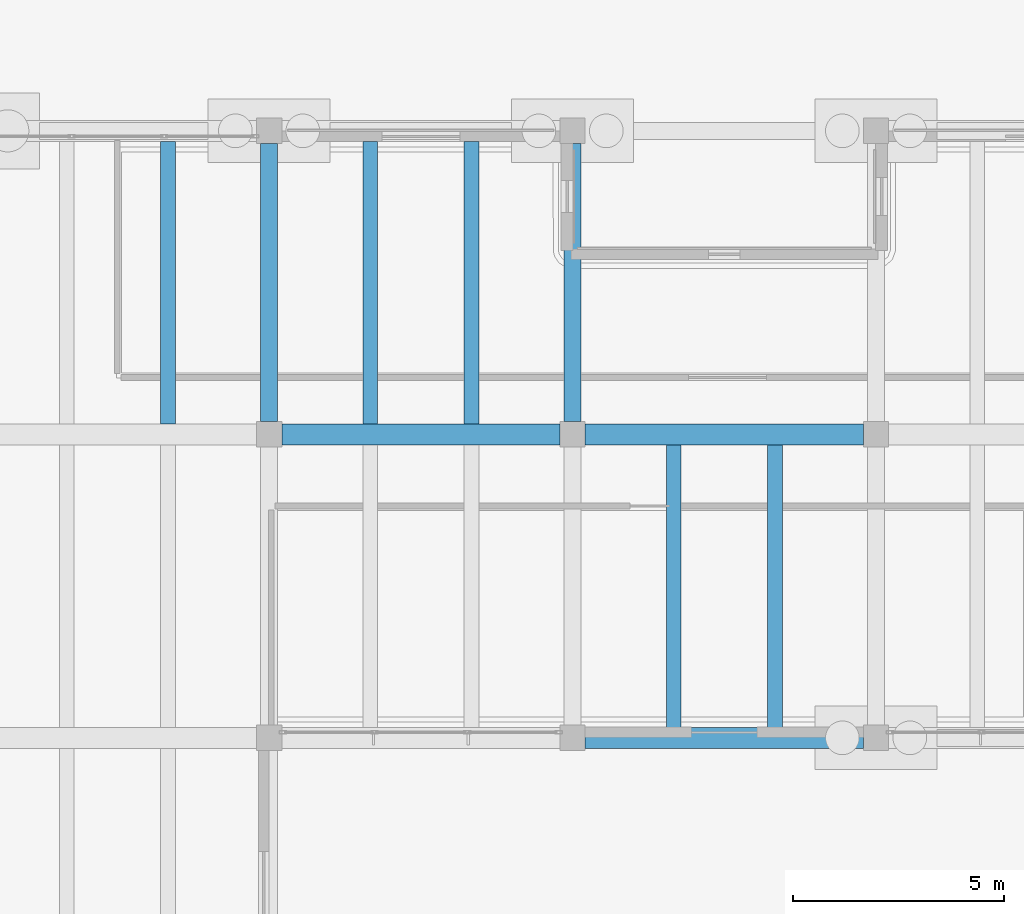
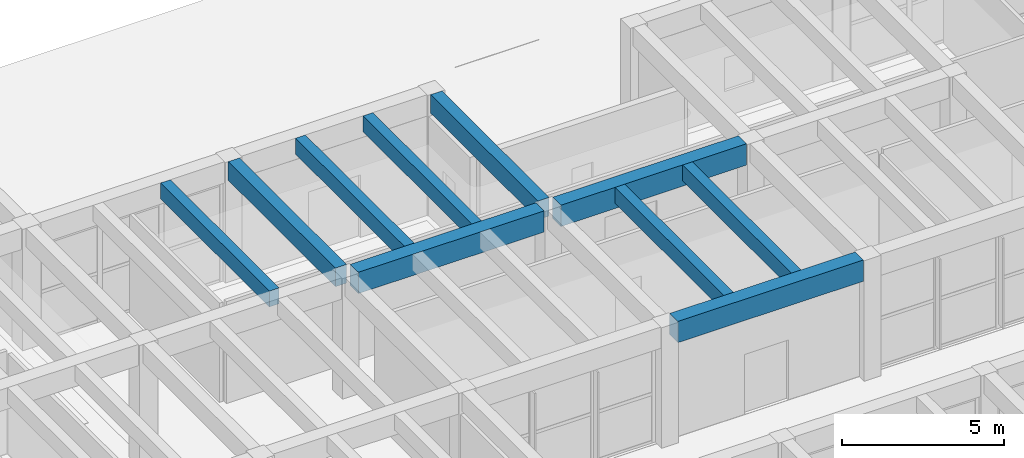
# One storey, part 71 of 155: 10 beams.
"""IFC4 building model written with IfcOpenShell, lengths in metres."""

from ifc_helpers import new_model, si_unit, direction, frame, origin, origin_2d, place, context, subcontext, project, spatial, rectangle, extrude, material, material_profile, profile_set, type_object, element, save


model = new_model("IFC4")

# Units and contexts
model_context = context("Model", 3, precision=1e-05, world=origin(), true_north=direction((0.0, 1.0)))
body_context = subcontext(model_context, "Body", "Model", "MODEL_VIEW")
ifc_project = project(units=[si_unit("LENGTHUNIT", "METRE"), si_unit("AREAUNIT", "SQUARE_METRE"), si_unit("VOLUMEUNIT", "CUBIC_METRE"), si_unit("PLANEANGLEUNIT", "RADIAN"), si_unit("MASSUNIT", "GRAM", prefix="KILO")], contexts=[model_context])

# Site, building, storey
site_placement = place(None, origin())
site = spatial("IfcSite", under=ifc_project, at=site_placement, CompositionType="ELEMENT")
building_placement = place(site_placement, origin())
building = spatial("IfcBuilding", under=site, at=building_placement, Name="Bramvelor Terrace Health Centre", CompositionType="ELEMENT")
storey_placement = place(building_placement, origin())
storey = spatial("IfcBuildingStorey", under=building, at=storey_placement, Name="L01", CompositionType="ELEMENT", Elevation=0.0)

# Beams
ifc_material_1 = material(Name="Concrete C40/50", Category="concrete")
ifc_material_profile_1 = material_profile(ifc_material_1, rectangle(XDim=0.39990234375, YDim=0.699951171875, at=origin_2d()), Name="RC 400x700")
ifc_profile_set_1 = profile_set([ifc_material_profile_1], Name="Concrete C40/50")
beam_type_1 = type_object("IfcBeamType", Name="BM-RC-G700", PredefinedType="BEAM", material=ifc_profile_set_1)
for number, where, z_axis, x_axis, name in (
    (1, (50.39990234375, 93.89990234375, 4.179931640625), (0.0, 1.0, 0.0), (-1.0, 0.0, 0.0), "L01 Floor Girder"),
    (2, (57.60009765625, 93.89990234375, 4.179931640625), (0.0, 1.0, 0.0), (-1.0, 0.0, 0.0), "L01 Floor Girder"),
):
    element("IfcBeam", number, at=place(storey_placement, frame(where, z_axis=z_axis, x_axis=x_axis)), inside=storey, type_object=beam_type_1, Name=name, PredefinedType="BEAM", context=body_context, shape_type="SweptSolid", body=[
        extrude(rectangle(XDim=0.39990234375, YDim=0.699951171875, at=origin_2d()), origin(), (0.0, 0.0, 1.0), 6.60009765625),
    ])
ifc_material_2 = material(Name="Concrete C40/50", Category="concrete")
ifc_material_profile_2 = material_profile(ifc_material_2, rectangle(XDim=0.5, YDim=0.800048828125, at=origin_2d()), Name="RC 500x800")
ifc_profile_set_2 = profile_set([ifc_material_profile_2], Name="Concrete C40/50")
beam_type_2 = type_object("IfcBeamType", Name="BM-RC-G800", PredefinedType="BEAM", material=ifc_profile_set_2)
for number, where, z_axis, x_axis, name in (
    (3, (50.699951171875, 93.60009765625, 4.1298828125), (1.0, 0.0, 0.0), (0.0, 1.0, 0.0), "L01 Floor Girder"),
    (4, (57.89990234375, 86.39990234375, 4.1298828125), (1.0, 0.0, 0.0), (0.0, 1.0, 0.0), "L01 Floor Girder"),
    (5, (57.89990234375, 93.60009765625, 4.1298828125), (1.0, 0.0, 0.0), (0.0, 1.0, 0.0), "L01 Floor Girder"),
):
    element("IfcBeam", number, at=place(storey_placement, frame(where, z_axis=z_axis, x_axis=x_axis)), inside=storey, type_object=beam_type_2, Name=name, PredefinedType="BEAM", context=body_context, shape_type="SweptSolid", body=[
        extrude(rectangle(XDim=0.5, YDim=0.800048828125, at=origin_2d()), origin(), (0.0, 0.0, 1.0), 6.60009765625),
    ])
ifc_material_3 = material(Name="Concrete C40/50", Category="concrete")
ifc_material_profile_3 = material_profile(ifc_material_3, rectangle(XDim=0.35009765625, YDim=0.60009765625, at=origin_2d()), Name="RC 350x600")
ifc_profile_set_3 = profile_set([ifc_material_profile_3], Name="Concrete C40/50")
beam_type_3 = type_object("IfcBeamType", Name="BM-RC-J600", PredefinedType="JOIST", material=ifc_profile_set_3)
for number, where, z_axis, x_axis, name in (
    (6, (48.0, 93.85009765625, 4.22998046875), (0.0, 1.0, 0.0), (-1.0, 0.0, 0.0), "L01 Secondary Floor Joist"),
    (7, (52.800048828125, 93.85009765625, 4.22998046875), (0.0, 1.0, 0.0), (-1.0, 0.0, 0.0), "L01 Secondary Floor Joist"),
    (8, (55.199951171875, 93.85009765625, 4.22998046875), (0.0, 1.0, 0.0), (-1.0, 0.0, 0.0), "L01 Secondary Floor Joist"),
):
    element("IfcBeam", number, at=place(storey_placement, frame(where, z_axis=z_axis, x_axis=x_axis)), inside=storey, type_object=beam_type_3, Name=name, PredefinedType="JOIST", context=body_context, shape_type="SweptSolid", body=[
        extrude(rectangle(XDim=0.35009765625, YDim=0.60009765625, at=origin_2d()), origin(), (0.0, 0.0, 1.0), 6.699951171875),
    ])
for number, where, z_axis, x_axis, name in (
    (9, (60.0, 86.64990234375, 4.22998046875), (0.0, 1.0, 0.0), (-1.0, 0.0, 0.0), "L01 Secondary Floor Joist"),
    (10, (62.39990234375, 86.64990234375, 4.22998046875), (0.0, 1.0, 0.0), (-1.0, 0.0, 0.0), "L01 Secondary Floor Joist"),
):
    element("IfcBeam", number, at=place(storey_placement, frame(where, z_axis=z_axis, x_axis=x_axis)), inside=storey, type_object=beam_type_3, Name=name, PredefinedType="JOIST", context=body_context, shape_type="SweptSolid", body=[
        extrude(rectangle(XDim=0.35009765625, YDim=0.60009765625, at=origin_2d()), origin(), (0.0, 0.0, 1.0), 6.7001953125),
    ])

save(model, "model.ifc")
